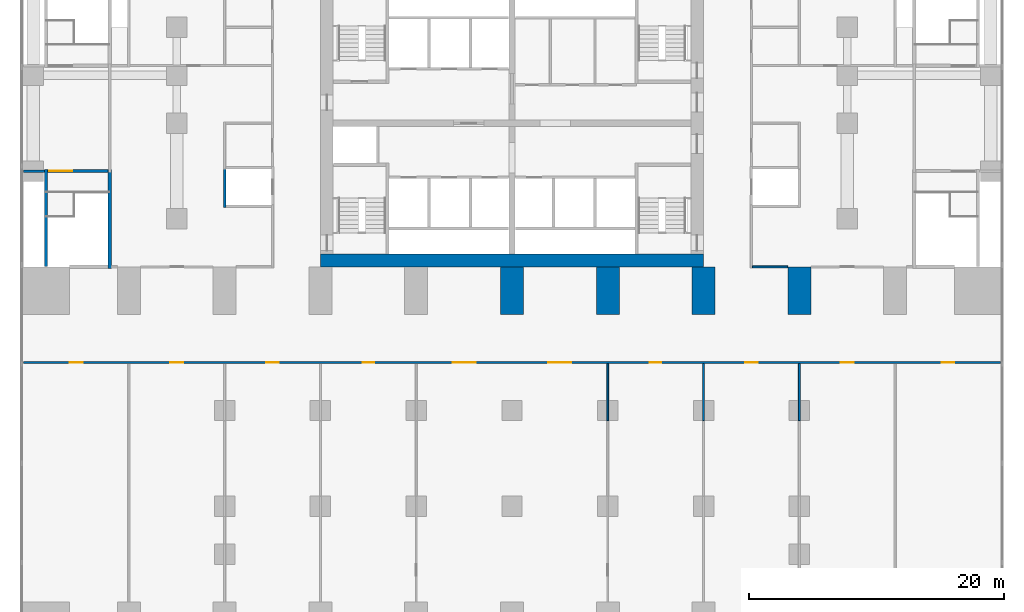
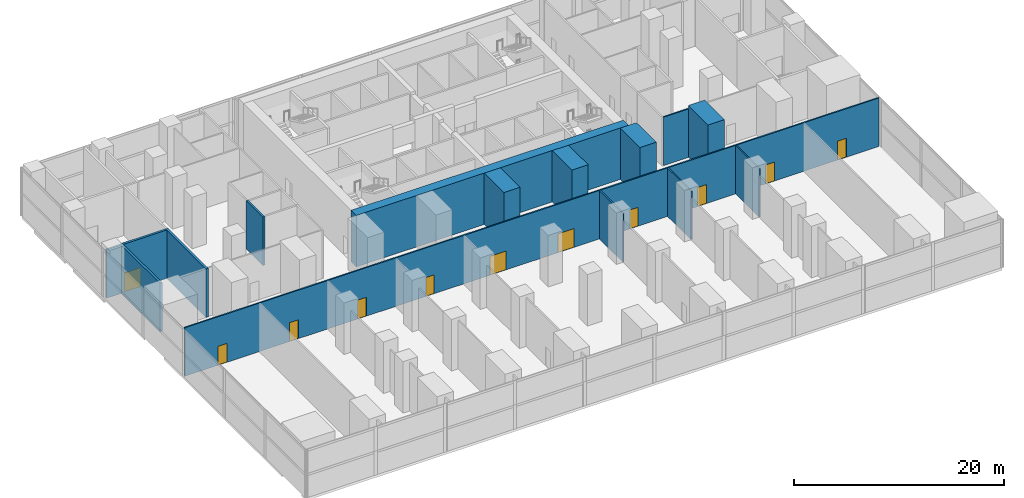
# One storey, part 9 of 14: 15 walls, 11 doors, 11 openings.
"""IFC4 building model written with IfcOpenShell, lengths in metres."""

from ifc_helpers import new_model, si_unit, direction, frame, frame_2d, origin, place, context, subcontext, project, spatial, rectangle, extrude, material, layer, layer_set, type_object, element, fill, save


model = new_model("IFC4")

# Units and contexts
model_context = context("Model", 3, precision=1e-05, world=origin(), true_north=direction((0.0, 1.0)))
body_context = subcontext(model_context, "Body", "Model", "MODEL_VIEW")
ifc_project = project(units=[si_unit("LENGTHUNIT", "METRE"), si_unit("AREAUNIT", "SQUARE_METRE"), si_unit("VOLUMEUNIT", "CUBIC_METRE"), si_unit("PLANEANGLEUNIT", "RADIAN"), si_unit("MASSUNIT", "GRAM", prefix="KILO")], contexts=[model_context])

# Site, building, storey
site_placement = place(None, origin())
site = spatial("IfcSite", under=ifc_project, at=site_placement, CompositionType="ELEMENT")
building_placement = place(site_placement, origin())
building = spatial("IfcBuilding", under=site, at=building_placement, Name="Pilkhan Gate Tower", CompositionType="ELEMENT")
storey_placement = place(building_placement, frame((0.0, 0.0, 24.0)))
storey = spatial("IfcBuildingStorey", under=building, at=storey_placement, Name="L03", CompositionType="ELEMENT", Elevation=24.0)

# Walls
ifc_material_1 = material(Name="Concrete C70/85", Category="concrete")
ifc_layer_1 = layer(ifc_material_1, 1.800048828125)
ifc_layer_set_1 = layer_set([ifc_layer_1], Name="Arch pier AP1800 C70/85")
wall_type_1 = type_object("IfcWallType", Name="Arch pier AP1800 C70/85", PredefinedType="SHEAR", material=ifc_layer_set_1)
for number, where, z_axis, x_axis, name in (
    (1, (75.0, 67.5, 0.0), (0.0, 0.0, 1.0), (0.0, 1.0, 0.0), "Arch pier N+0 L03"),
    (2, (82.5, 67.5, 0.0), (0.0, 0.0, 1.0), (0.0, 1.0, 0.0), "Arch pier N+1 L03"),
    (3, (90.0, 67.5, 0.0), (0.0, 0.0, 1.0), (0.0, 1.0, 0.0), "Arch pier N+2 L03"),
    (4, (97.5, 67.5, 0.0), (0.0, 0.0, 1.0), (0.0, 1.0, 0.0), "Arch pier N+3 L03"),
):
    element("IfcWall", number, at=place(storey_placement, frame(where, z_axis=z_axis, x_axis=x_axis)), inside=storey, type_object=wall_type_1, Name=name, PredefinedType="SHEAR", context=body_context, shape_type="SweptSolid", body=[
        extrude(rectangle(XDim=3.75, YDim=1.800048828125, at=frame_2d((1.875, 0.0))), origin(), (0.0, 0.0, 1.0), 6.0),
    ])
ifc_layer_2 = layer(ifc_material_1, 1.0)
ifc_layer_set_2 = layer_set([ifc_layer_2], Name="Core wall CW1000 C70/85")
wall_type_2 = type_object("IfcWallType", Name="Core wall CW1000 C70/85", PredefinedType="SHEAR", material=ifc_layer_set_2)
wall_1_placement = place(storey_placement, frame((60.0, 71.75, 0.0), z_axis=(0.0, 0.0, 1.0), x_axis=(1.0, 0.0, 0.0)))
element("IfcWall", 5, at=wall_1_placement, inside=storey, type_object=wall_type_2, Name="Core wall S L03", PredefinedType="SHEAR", context=body_context, shape_type="SweptSolid", body=[
    extrude(rectangle(XDim=30.0, YDim=1.0, at=frame_2d((15.0, 0.0))), origin(), (0.0, 0.0, 1.0), 6.0),
])
ifc_material_2 = material(Name="Dense blockwork", Category="masonry")
ifc_layer_3 = layer(ifc_material_2, 0.199951171875)
ifc_layer_set_3 = layer_set([ifc_layer_3], Name="Lobby wall LW200")
wall_type_3 = type_object("IfcWallType", Name="Lobby wall LW200", PredefinedType="PARTITIONING", material=ifc_layer_set_3)
wall_2_placement = place(storey_placement, frame((36.735107421875, 78.75, 0.0), z_axis=(0.0, 0.0, 1.0), x_axis=(1.0, 0.0, 0.0)))
element("IfcWall", 6, at=wall_2_placement, inside=storey, type_object=wall_type_3, Name="Partition L03", PredefinedType="PARTITIONING", context=body_context, shape_type="SweptSolid", body=[
    extrude(rectangle(XDim=1.639892578125, YDim=0.199951171875, at=frame_2d((0.81982421875, 0.0))), origin(), (0.0, 0.0, 1.0), 5.64990234375),
])

# Wall, openings, doors
ifc_material_3 = material(Name="Blockwork partition, plastered both sides", Category="masonry")
ifc_layer_4 = layer(ifc_material_3, 0.14990234375)
ifc_layer_set_4 = layer_set([ifc_layer_4], Name="Partition PW150")
wall_type_4 = type_object("IfcWallType", Name="Partition PW150", PredefinedType="PARTITIONING", material=ifc_layer_set_4)
wall_3_placement = place(storey_placement, frame((36.735107421875, 63.75, 0.0), z_axis=(0.0, 0.0, 1.0), x_axis=(1.0, 0.0, 0.0)))
wall_3 = element("IfcWall", 7, at=wall_3_placement, inside=storey, type_object=wall_type_4, Name="Partition L03", PredefinedType="PARTITIONING", context=body_context, shape_type="SweptSolid", body=[
    extrude(rectangle(XDim=76.52978515625, YDim=0.14990234375, at=frame_2d((38.264892578125, 0.0))), origin(), (0.0, 0.0, 1.0), 5.64990234375),
])
opening_1_placement = place(wall_3_placement, frame((33.614990234375, 0.0, 0.0)))
opening_1 = element("IfcOpeningElement", 8, at=opening_1_placement, cuts=wall_3, Name="Opening L03-10", PredefinedType="OPENING", context=body_context, shape_type="SweptSolid", body=[
    extrude(rectangle(XDim=1.800048828125, YDim=2.199951171875, at=frame_2d((0.89990234375, 1.10009765625))), frame((0.0, 0.0849609375, 0.0), z_axis=(0.0, -1.0, 0.0), x_axis=(1.0, 0.0, 0.0)), (0.0, 0.0, 1.0), 0.169921875),
])
opening_2_placement = place(wall_3_placement, frame((41.114990234375, 0.0, 0.0)))
opening_2 = element("IfcOpeningElement", 9, at=opening_2_placement, cuts=wall_3, Name="Opening L03-11", PredefinedType="OPENING", context=body_context, shape_type="SweptSolid", body=[
    extrude(rectangle(XDim=1.800048828125, YDim=2.199951171875, at=frame_2d((0.89990234375, 1.10009765625))), frame((0.0, 0.0849609375, 0.0), z_axis=(0.0, -1.0, 0.0), x_axis=(1.0, 0.0, 0.0)), (0.0, 0.0, 1.0), 0.169921875),
])
opening_3_placement = place(wall_3_placement, frame((26.56494140625, 0.0, 0.0)))
opening_3 = element("IfcOpeningElement", 10, at=opening_3_placement, cuts=wall_3, Name="Opening L03-20", PredefinedType="OPENING", context=body_context, shape_type="SweptSolid", body=[
    extrude(rectangle(XDim=0.89990234375, YDim=2.199951171875, at=frame_2d((0.449951171875, 1.10009765625))), frame((0.0, 0.0849609375, 0.0), z_axis=(0.0, -1.0, 0.0), x_axis=(1.0, 0.0, 0.0)), (0.0, 0.0, 1.0), 0.169921875),
])
opening_4_placement = place(wall_3_placement, frame((49.06494140625, 0.0, 0.0)))
opening_4 = element("IfcOpeningElement", 11, at=opening_4_placement, cuts=wall_3, Name="Opening L03-21", PredefinedType="OPENING", context=body_context, shape_type="SweptSolid", body=[
    extrude(rectangle(XDim=0.89990234375, YDim=2.199951171875, at=frame_2d((0.449951171875, 1.10009765625))), frame((0.0, 0.0849609375, 0.0), z_axis=(0.0, -1.0, 0.0), x_axis=(1.0, 0.0, 0.0)), (0.0, 0.0, 1.0), 0.169921875),
])
opening_5_placement = place(wall_3_placement, frame((3.64990234375, 0.0, 0.0)))
opening_5 = element("IfcOpeningElement", 12, at=opening_5_placement, cuts=wall_3, Name="Opening L03-22", PredefinedType="OPENING", context=body_context, shape_type="SweptSolid", body=[
    extrude(rectangle(XDim=1.0, YDim=2.199951171875, at=frame_2d((0.5, 1.10009765625))), frame((0.0, 0.0849609375, 0.0), z_axis=(0.0, -1.0, 0.0), x_axis=(1.0, 0.0, 0.0)), (0.0, 0.0, 1.0), 0.169921875),
])
opening_6_placement = place(wall_3_placement, frame((11.514892578125, 0.0, 0.0)))
opening_6 = element("IfcOpeningElement", 13, at=opening_6_placement, cuts=wall_3, Name="Opening L03-23", PredefinedType="OPENING", context=body_context, shape_type="SweptSolid", body=[
    extrude(rectangle(XDim=1.0, YDim=2.199951171875, at=frame_2d((0.5, 1.10009765625))), frame((0.0, 0.0849609375, 0.0), z_axis=(0.0, -1.0, 0.0), x_axis=(1.0, 0.0, 0.0)), (0.0, 0.0, 1.0), 0.169921875),
])
opening_7_placement = place(wall_3_placement, frame((19.014892578125, 0.0, 0.0)))
opening_7 = element("IfcOpeningElement", 14, at=opening_7_placement, cuts=wall_3, Name="Opening L03-24", PredefinedType="OPENING", context=body_context, shape_type="SweptSolid", body=[
    extrude(rectangle(XDim=1.0, YDim=2.199951171875, at=frame_2d((0.5, 1.10009765625))), frame((0.0, 0.0849609375, 0.0), z_axis=(0.0, -1.0, 0.0), x_axis=(1.0, 0.0, 0.0)), (0.0, 0.0, 1.0), 0.169921875),
])
opening_8_placement = place(wall_3_placement, frame((56.514892578125, 0.0, 0.0)))
opening_8 = element("IfcOpeningElement", 15, at=opening_8_placement, cuts=wall_3, Name="Opening L03-25", PredefinedType="OPENING", context=body_context, shape_type="SweptSolid", body=[
    extrude(rectangle(XDim=1.0, YDim=2.199951171875, at=frame_2d((0.5, 1.10009765625))), frame((0.0, 0.0849609375, 0.0), z_axis=(0.0, -1.0, 0.0), x_axis=(1.0, 0.0, 0.0)), (0.0, 0.0, 1.0), 0.169921875),
])
opening_9_placement = place(wall_3_placement, frame((64.014892578125, 0.0, 0.0)))
opening_9 = element("IfcOpeningElement", 16, at=opening_9_placement, cuts=wall_3, Name="Opening L03-26", PredefinedType="OPENING", context=body_context, shape_type="SweptSolid", body=[
    extrude(rectangle(XDim=1.0, YDim=2.199951171875, at=frame_2d((0.5, 1.10009765625))), frame((0.0, 0.0849609375, 0.0), z_axis=(0.0, -1.0, 0.0), x_axis=(1.0, 0.0, 0.0)), (0.0, 0.0, 1.0), 0.169921875),
])
opening_10_placement = place(wall_3_placement, frame((71.9150390625, 0.0, 0.0)))
opening_10 = element("IfcOpeningElement", 17, at=opening_10_placement, cuts=wall_3, Name="Opening L03-27", PredefinedType="OPENING", context=body_context, shape_type="SweptSolid", body=[
    extrude(rectangle(XDim=1.0, YDim=2.199951171875, at=frame_2d((0.5, 1.10009765625))), frame((0.0, 0.0849609375, 0.0), z_axis=(0.0, -1.0, 0.0), x_axis=(1.0, 0.0, 0.0)), (0.0, 0.0, 1.0), 0.169921875),
])
ifc_material_4 = material(Name="Timber glazed double door, 30 minute fire resisting", Category="wood")
door_type_1 = type_object("IfcDoorType", Name="Double door D04 1800x2200", OperationType="DOUBLE_DOOR_SINGLE_SWING", PredefinedType="DOOR", material=ifc_material_4)
door_1_placement = place(opening_1_placement, origin())
door_1 = element("IfcDoor", 18, at=door_1_placement, inside=storey, type_object=door_type_1, Name="Hall door", OperationType="DOUBLE_DOOR_SINGLE_SWING", OverallHeight=2.199951171875, OverallWidth=1.800048828125, PredefinedType="DOOR", context=body_context, shape_type="SweptSolid", body=[
    extrude(rectangle(XDim=1.800048828125, YDim=2.199951171875, at=frame_2d((0.89990234375, 1.10009765625))), frame((0.0, 0.02490234375, 0.0), z_axis=(0.0, -1.0, 0.0), x_axis=(1.0, 0.0, 0.0)), (0.0, 0.0, 1.0), 0.050048828125),
])
fill(opening_1, door_1)
door_2_placement = place(opening_2_placement, origin())
door_2 = element("IfcDoor", 19, at=door_2_placement, inside=storey, type_object=door_type_1, Name="Hall door", OperationType="DOUBLE_DOOR_SINGLE_SWING", OverallHeight=2.199951171875, OverallWidth=1.800048828125, PredefinedType="DOOR", context=body_context, shape_type="SweptSolid", body=[
    extrude(rectangle(XDim=1.800048828125, YDim=2.199951171875, at=frame_2d((0.89990234375, 1.10009765625))), frame((0.0, 0.02490234375, 0.0), z_axis=(0.0, -1.0, 0.0), x_axis=(1.0, 0.0, 0.0)), (0.0, 0.0, 1.0), 0.050048828125),
])
fill(opening_2, door_2)
ifc_material_5 = material(Name="Timber flush door, 30 minute fire resisting", Category="wood")
door_type_2 = type_object("IfcDoorType", Name="Room door D03 1000x2200", OperationType="SINGLE_SWING_LEFT", PredefinedType="DOOR", material=ifc_material_5)
door_3_placement = place(opening_5_placement, origin())
door_3 = element("IfcDoor", 20, at=door_3_placement, inside=storey, type_object=door_type_2, Name="Room door", OperationType="SINGLE_SWING_RIGHT", OverallHeight=2.199951171875, OverallWidth=1.0, PredefinedType="DOOR", context=body_context, shape_type="SweptSolid", body=[
    extrude(rectangle(XDim=1.0, YDim=2.199951171875, at=frame_2d((0.5, 1.10009765625))), frame((0.0, 0.02490234375, 0.0), z_axis=(0.0, -1.0, 0.0), x_axis=(1.0, 0.0, 0.0)), (0.0, 0.0, 1.0), 0.050048828125),
])
fill(opening_5, door_3)
door_4_placement = place(opening_6_placement, origin())
door_4 = element("IfcDoor", 21, at=door_4_placement, inside=storey, type_object=door_type_2, Name="Room door", OperationType="SINGLE_SWING_RIGHT", OverallHeight=2.199951171875, OverallWidth=1.0, PredefinedType="DOOR", context=body_context, shape_type="SweptSolid", body=[
    extrude(rectangle(XDim=1.0, YDim=2.199951171875, at=frame_2d((0.5, 1.10009765625))), frame((0.0, 0.02490234375, 0.0), z_axis=(0.0, -1.0, 0.0), x_axis=(1.0, 0.0, 0.0)), (0.0, 0.0, 1.0), 0.050048828125),
])
fill(opening_6, door_4)
door_5_placement = place(opening_7_placement, origin())
door_5 = element("IfcDoor", 22, at=door_5_placement, inside=storey, type_object=door_type_2, Name="Room door", OperationType="SINGLE_SWING_LEFT", OverallHeight=2.199951171875, OverallWidth=1.0, PredefinedType="DOOR", context=body_context, shape_type="SweptSolid", body=[
    extrude(rectangle(XDim=1.0, YDim=2.199951171875, at=frame_2d((0.5, 1.10009765625))), frame((0.0, 0.02490234375, 0.0), z_axis=(0.0, -1.0, 0.0), x_axis=(1.0, 0.0, 0.0)), (0.0, 0.0, 1.0), 0.050048828125),
])
fill(opening_7, door_5)
door_6_placement = place(opening_8_placement, origin())
door_6 = element("IfcDoor", 23, at=door_6_placement, inside=storey, type_object=door_type_2, Name="Room door", OperationType="SINGLE_SWING_RIGHT", OverallHeight=2.199951171875, OverallWidth=1.0, PredefinedType="DOOR", context=body_context, shape_type="SweptSolid", body=[
    extrude(rectangle(XDim=1.0, YDim=2.199951171875, at=frame_2d((0.5, 1.10009765625))), frame((0.0, 0.02490234375, 0.0), z_axis=(0.0, -1.0, 0.0), x_axis=(1.0, 0.0, 0.0)), (0.0, 0.0, 1.0), 0.050048828125),
])
fill(opening_8, door_6)
door_7_placement = place(opening_9_placement, origin())
door_7 = element("IfcDoor", 24, at=door_7_placement, inside=storey, type_object=door_type_2, Name="Room door", OperationType="SINGLE_SWING_LEFT", OverallHeight=2.199951171875, OverallWidth=1.0, PredefinedType="DOOR", context=body_context, shape_type="SweptSolid", body=[
    extrude(rectangle(XDim=1.0, YDim=2.199951171875, at=frame_2d((0.5, 1.10009765625))), frame((0.0, 0.02490234375, 0.0), z_axis=(0.0, -1.0, 0.0), x_axis=(1.0, 0.0, 0.0)), (0.0, 0.0, 1.0), 0.050048828125),
])
fill(opening_9, door_7)
door_8_placement = place(opening_10_placement, origin())
door_8 = element("IfcDoor", 25, at=door_8_placement, inside=storey, type_object=door_type_2, Name="Room door", OperationType="SINGLE_SWING_RIGHT", OverallHeight=2.199951171875, OverallWidth=1.0, PredefinedType="DOOR", context=body_context, shape_type="SweptSolid", body=[
    extrude(rectangle(XDim=1.0, YDim=2.199951171875, at=frame_2d((0.5, 1.10009765625))), frame((0.0, 0.02490234375, 0.0), z_axis=(0.0, -1.0, 0.0), x_axis=(1.0, 0.0, 0.0)), (0.0, 0.0, 1.0), 0.050048828125),
])
fill(opening_10, door_8)
ifc_material_6 = material(Name="Timber flush door, 60 minute fire resisting, self-closing", Category="wood")
door_type_3 = type_object("IfcDoorType", Name="Store door D05 900x2200", OperationType="SINGLE_SWING_LEFT", PredefinedType="DOOR", material=ifc_material_6)
door_9_placement = place(opening_3_placement, origin())
door_9 = element("IfcDoor", 26, at=door_9_placement, inside=storey, type_object=door_type_3, Name="Store door", OperationType="SINGLE_SWING_LEFT", OverallHeight=2.199951171875, OverallWidth=0.89990234375, PredefinedType="DOOR", context=body_context, shape_type="SweptSolid", body=[
    extrude(rectangle(XDim=0.89990234375, YDim=2.199951171875, at=frame_2d((0.449951171875, 1.10009765625))), frame((0.0, 0.02490234375, 0.0), z_axis=(0.0, -1.0, 0.0), x_axis=(1.0, 0.0, 0.0)), (0.0, 0.0, 1.0), 0.050048828125),
])
fill(opening_3, door_9)
door_10_placement = place(opening_4_placement, origin())
door_10 = element("IfcDoor", 27, at=door_10_placement, inside=storey, type_object=door_type_3, Name="Store door", OperationType="SINGLE_SWING_RIGHT", OverallHeight=2.199951171875, OverallWidth=0.89990234375, PredefinedType="DOOR", context=body_context, shape_type="SweptSolid", body=[
    extrude(rectangle(XDim=0.89990234375, YDim=2.199951171875, at=frame_2d((0.449951171875, 1.10009765625))), frame((0.0, 0.02490234375, 0.0), z_axis=(0.0, -1.0, 0.0), x_axis=(1.0, 0.0, 0.0)), (0.0, 0.0, 1.0), 0.050048828125),
])
fill(opening_4, door_10)

# Walls
wall_4_placement = place(storey_placement, frame((93.824951171875, 71.25, 0.0), z_axis=(0.0, 0.0, 1.0), x_axis=(1.0, 0.0, 0.0)))
element("IfcWall", 28, at=wall_4_placement, inside=storey, type_object=wall_type_4, Name="Partition L03", PredefinedType="PARTITIONING", context=body_context, shape_type="SweptSolid", body=[
    extrude(rectangle(XDim=2.76513671875, YDim=0.14990234375, at=frame_2d((1.382568359375, 0.0))), origin(), (0.0, 0.0, 1.0), 5.64990234375),
])
for number, where, z_axis, x_axis, name in (
    (29, (82.5, 59.200927734375, 0.0), (0.0, 0.0, 1.0), (0.0, 1.0, 0.0), "Partition L03"),
    (30, (90.0, 59.200927734375, 0.0), (0.0, 0.0, 1.0), (0.0, 1.0, 0.0), "Partition L03"),
    (31, (97.5, 59.200927734375, 0.0), (0.0, 0.0, 1.0), (0.0, 1.0, 0.0), "Partition L03"),
):
    element("IfcWall", number, at=place(storey_placement, frame(where, z_axis=z_axis, x_axis=x_axis)), inside=storey, type_object=wall_type_4, Name=name, PredefinedType="PARTITIONING", context=body_context, shape_type="SweptSolid", body=[
        extrude(rectangle(XDim=4.47412109375, YDim=0.14990234375, at=frame_2d((2.237060546875, 0.0))), origin(), (0.0, 0.0, 1.0), 5.64990234375),
    ])
ifc_material_7 = material(Name="Reinforced blockwork shaft wall, 120 minute fire resisting", Category="masonry")
ifc_layer_5 = layer(ifc_material_7, 0.199951171875)
ifc_layer_set_5 = layer_set([ifc_layer_5], Name="Shaft wall SW200")
wall_type_5 = type_object("IfcWallType", Name="Shaft wall SW200", PredefinedType="PARTITIONING", material=ifc_layer_set_5)
wall_5_placement = place(storey_placement, frame((52.5, 75.89990234375, 0.0), z_axis=(0.0, 0.0, 1.0), x_axis=(0.0, 1.0, 0.0)))
element("IfcWall", 32, at=wall_5_placement, inside=storey, type_object=wall_type_5, Name="Partition L03", PredefinedType="PARTITIONING", context=body_context, shape_type="SweptSolid", body=[
    extrude(rectangle(XDim=3.2001953125, YDim=0.199951171875, at=frame_2d((1.60009765625, 0.0))), origin(), (0.0, 0.0, 1.0), 5.64990234375),
])

# Wall, opening, door
ifc_material_8 = material(Name="Reinforced blockwork, 120 minute fire resisting", Category="masonry")
ifc_layer_6 = layer(ifc_material_8, 0.25)
ifc_layer_set_6 = layer_set([ifc_layer_6], Name="Stair enclosure wall SE250")
wall_type_6 = type_object("IfcWallType", Name="Stair enclosure wall SE250", PredefinedType="PARTITIONING", material=ifc_layer_set_6)
wall_6_placement = place(storey_placement, frame((38.625, 78.75, 0.0), z_axis=(0.0, 0.0, 1.0), x_axis=(1.0, 0.0, 0.0)))
wall_6 = element("IfcWall", 33, at=wall_6_placement, inside=storey, type_object=wall_type_6, Name="Partition L03", PredefinedType="PARTITIONING", context=body_context, shape_type="SweptSolid", body=[
    extrude(rectangle(XDim=4.75, YDim=0.25, at=frame_2d((2.375, 0.0))), origin(), (0.0, 0.0, 1.0), 5.64990234375),
])
opening_11_placement = place(wall_6_placement, frame((0.14990234375, 0.0, 0.0)))
opening_11 = element("IfcOpeningElement", 34, at=opening_11_placement, cuts=wall_6, Name="Opening L03-08", PredefinedType="OPENING", context=body_context, shape_type="SweptSolid", body=[
    extrude(rectangle(XDim=1.800048828125, YDim=2.199951171875, at=frame_2d((0.89990234375, 1.10009765625))), frame((0.0, 0.135009765625, 0.0), z_axis=(0.0, -1.0, 0.0), x_axis=(1.0, 0.0, 0.0)), (0.0, 0.0, 1.0), 0.27001953125),
])
ifc_material_9 = material(Name="Steel double door, 120 minute fire resisting, panic bar", Category="steel")
door_type_4 = type_object("IfcDoorType", Name="Stair door D14 1800x2200", OperationType="DOUBLE_DOOR_SINGLE_SWING", PredefinedType="DOOR", material=ifc_material_9)
door_11_placement = place(opening_11_placement, origin())
door_11 = element("IfcDoor", 35, at=door_11_placement, inside=storey, type_object=door_type_4, Name="Stair PS3 door", OperationType="DOUBLE_DOOR_SINGLE_SWING", OverallHeight=2.199951171875, OverallWidth=1.800048828125, PredefinedType="DOOR", context=body_context, shape_type="SweptSolid", body=[
    extrude(rectangle(XDim=1.800048828125, YDim=2.199951171875, at=frame_2d((0.89990234375, 1.10009765625))), frame((0.0, 0.02490234375, 0.0), z_axis=(0.0, -1.0, 0.0), x_axis=(1.0, 0.0, 0.0)), (0.0, 0.0, 1.0), 0.050048828125),
])
fill(opening_11, door_11)

# Walls
wall_7_placement = place(storey_placement, frame((38.5, 71.260009765625, 0.0), z_axis=(0.0, 0.0, 1.0), x_axis=(0.0, 1.0, 0.0)))
element("IfcWall", 36, at=wall_7_placement, inside=storey, type_object=wall_type_6, Name="Partition L03", PredefinedType="PARTITIONING", context=body_context, shape_type="SweptSolid", body=[
    extrude(rectangle(XDim=7.614990234375, YDim=0.25, at=frame_2d((3.8076171875, 0.0))), origin(), (0.0, 0.0, 1.0), 5.64990234375),
])
wall_8_placement = place(storey_placement, frame((43.5, 71.125, 0.0), z_axis=(0.0, 0.0, 1.0), x_axis=(0.0, 1.0, 0.0)))
element("IfcWall", 37, at=wall_8_placement, inside=storey, type_object=wall_type_6, Name="Partition L03", PredefinedType="PARTITIONING", context=body_context, shape_type="SweptSolid", body=[
    extrude(rectangle(XDim=7.75, YDim=0.25, at=frame_2d((3.875, 0.0))), origin(), (0.0, 0.0, 1.0), 5.64990234375),
])

save(model, "model.ifc")
